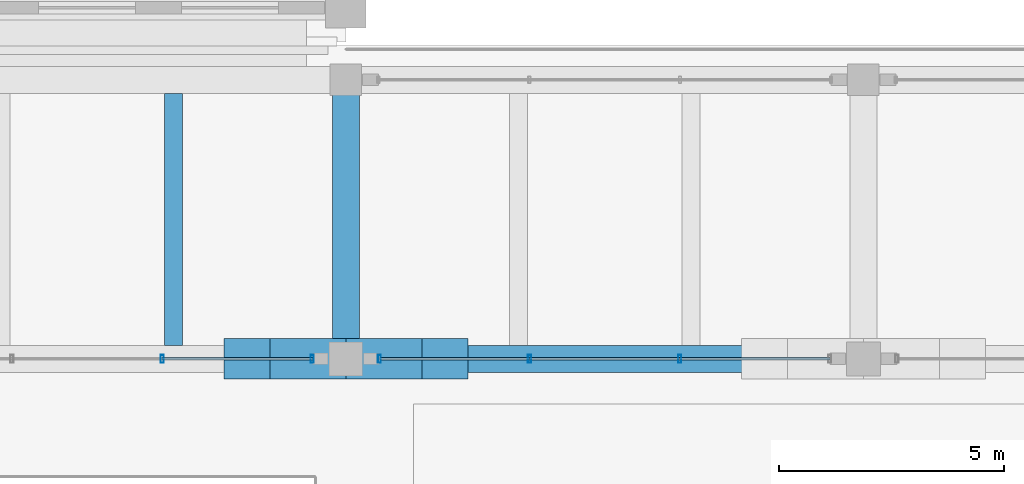
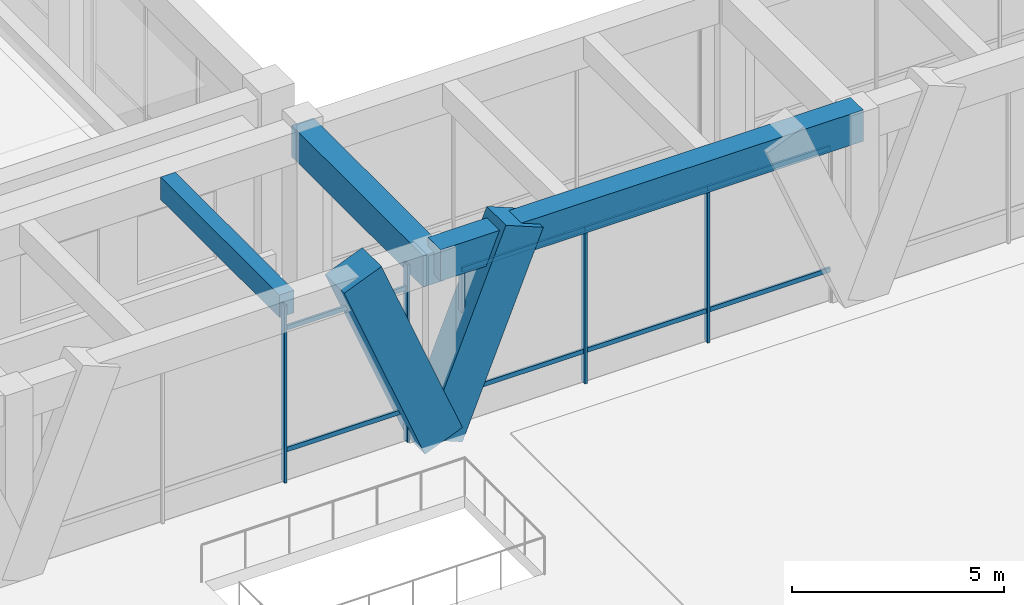
# One storey, part 61 of 148: 15 members, 3 beams, 2 elements without a shape of their own.
"""IFC4 building model written with IfcOpenShell, lengths in metres."""

from ifc_helpers import new_model, si_unit, direction, frame, origin, origin_2d, place, context, subcontext, project, spatial, rectangle, hollow_rectangle, extrude, material, material_profile, profile_set, type_object, element, aggregate, save


model = new_model("IFC4")

# Units and contexts
model_context = context("Model", 3, precision=1e-05, world=origin(), true_north=direction((0.0, 1.0)))
body_context = subcontext(model_context, "Body", "Model", "MODEL_VIEW")
ifc_project = project(units=[si_unit("LENGTHUNIT", "METRE"), si_unit("AREAUNIT", "SQUARE_METRE"), si_unit("VOLUMEUNIT", "CUBIC_METRE"), si_unit("PLANEANGLEUNIT", "RADIAN"), si_unit("MASSUNIT", "GRAM", prefix="KILO")], contexts=[model_context])

# Site, building, storey
site_placement = place(None, origin())
site = spatial("IfcSite", under=ifc_project, at=site_placement, CompositionType="ELEMENT")
building_placement = place(site_placement, origin())
building = spatial("IfcBuilding", under=site, at=building_placement, Name="Ologun Quay Terminus", CompositionType="ELEMENT")
storey_placement = place(building_placement, frame((0.0, 0.0, 8.39990234375)))
storey = spatial("IfcBuildingStorey", under=building, at=storey_placement, Name="L02", CompositionType="ELEMENT", Elevation=8.39990234375)

# Curtain wall, members
ifc_material_1 = material(Name="Aluminium 6063-T6", Category="aluminium")
curtain_wall_type = type_object("IfcCurtainWallType", Name="Train Shed North Clerestory Curtain Wall 10700x4850", PredefinedType="USERDEFINED", material=ifc_material_1)
curtain_wall_1_placement = place(storey_placement, origin())
curtain_wall_1 = element("IfcCurtainWall", 1, at=curtain_wall_1_placement, inside=storey, type_object=curtain_wall_type, Name="CW-09 Curtain Wall CW-L02-055", ObjectType="UNITISED CURTAIN WALL", PredefinedType="USERDEFINED")
ifc_material_2 = material(Name="Aluminium 6063-T6", Category="aluminium")
ifc_material_profile_1 = material_profile(ifc_material_2, hollow_rectangle(XDim=0.070068359375, YDim=0.179931640625, WallThickness=0.0048828125, at=origin_2d()), Name="ALU 180x70x5")
ifc_profile_set_1 = profile_set([ifc_material_profile_1], Name="Aluminium 6063-T6")
member_type_1 = type_object("IfcMemberType", Name="Concourse Clerestory Mullion 180x70", PredefinedType="MULLION", material=ifc_profile_set_1)
member_1_placement = place(storey_placement, frame((64.918212890625, 78.0, 0.0), z_axis=(0.0, 0.0, 1.0), x_axis=(1.0, 0.0, 0.0)))
member_1 = element("IfcMember", 2, at=member_1_placement, type_object=member_type_1, Name="CW-L02-055 Mullion 3", PredefinedType="MULLION", context=body_context, shape_type="SweptSolid", body=[
    extrude(hollow_rectangle(XDim=0.070068359375, YDim=0.179931640625, WallThickness=0.0048828125, at=origin_2d()), origin(), (0.0, 0.0, 1.0), 5.10009765625),
])
member_2_placement = place(storey_placement, frame((68.2548828125, 78.0, 0.0), z_axis=(0.0, 0.0, 1.0), x_axis=(1.0, 0.0, 0.0)))
member_2 = element("IfcMember", 3, at=member_2_placement, type_object=member_type_1, Name="CW-L02-055 Mullion 4", PredefinedType="MULLION", context=body_context, shape_type="SweptSolid", body=[
    extrude(hollow_rectangle(XDim=0.070068359375, YDim=0.179931640625, WallThickness=0.0048828125, at=origin_2d()), origin(), (0.0, 0.0, 1.0), 5.10009765625),
])

curtain_wall_2_placement = place(storey_placement, origin())
curtain_wall_2 = element("IfcCurtainWall", 4, at=curtain_wall_2_placement, inside=storey, type_object=curtain_wall_type, Name="CW-09 Curtain Wall CW-L02-057", ObjectType="UNITISED CURTAIN WALL", PredefinedType="USERDEFINED")
member_3_placement = place(storey_placement, frame((69.7451171875, 78.0, 0.0), z_axis=(0.0, 0.0, 1.0), x_axis=(1.0, 0.0, 0.0)))
member_3 = element("IfcMember", 5, at=member_3_placement, type_object=member_type_1, Name="CW-L02-057 Mullion 1", PredefinedType="MULLION", context=body_context, shape_type="SweptSolid", body=[
    extrude(hollow_rectangle(XDim=0.070068359375, YDim=0.179931640625, WallThickness=0.0048828125, at=origin_2d()), origin(), (0.0, 0.0, 1.0), 5.10009765625),
])
member_4_placement = place(storey_placement, frame((73.081787109375, 78.0, 0.0), z_axis=(0.0, 0.0, 1.0), x_axis=(1.0, 0.0, 0.0)))
member_4 = element("IfcMember", 6, at=member_4_placement, type_object=member_type_1, Name="CW-L02-057 Mullion 2", PredefinedType="MULLION", context=body_context, shape_type="SweptSolid", body=[
    extrude(hollow_rectangle(XDim=0.070068359375, YDim=0.179931640625, WallThickness=0.0048828125, at=origin_2d()), origin(), (0.0, 0.0, 1.0), 5.10009765625),
])
member_5_placement = place(storey_placement, frame((76.418212890625, 78.0, 0.0), z_axis=(0.0, 0.0, 1.0), x_axis=(1.0, 0.0, 0.0)))
member_5 = element("IfcMember", 7, at=member_5_placement, type_object=member_type_1, Name="CW-L02-057 Mullion 3", PredefinedType="MULLION", context=body_context, shape_type="SweptSolid", body=[
    extrude(hollow_rectangle(XDim=0.070068359375, YDim=0.179931640625, WallThickness=0.0048828125, at=origin_2d()), origin(), (0.0, 0.0, 1.0), 5.10009765625),
])

# Member
ifc_material_3 = material(Name="Aluminium 6063-T6", Category="aluminium")
ifc_material_profile_2 = material_profile(ifc_material_3, hollow_rectangle(XDim=0.06005859375, YDim=0.1298828125, WallThickness=0.00390625, at=origin_2d()), Name="ALU 130x60x4")
ifc_profile_set_2 = profile_set([ifc_material_profile_2], Name="Aluminium 6063-T6")
member_type_2 = type_object("IfcMemberType", Name="Concourse Clerestory Transom 130x60", PredefinedType="USERDEFINED", material=ifc_profile_set_2)
member_6_placement = place(storey_placement, frame((64.918212890625, 78.0, 0.900146484375), z_axis=(1.0, 0.0, 0.0), x_axis=(0.0, 1.0, 0.0)))
member_6 = element("IfcMember", 8, at=member_6_placement, type_object=member_type_2, Name="CW-L02-055 Transom B3-1", ObjectType="TRANSOM", PredefinedType="USERDEFINED", context=body_context, shape_type="SweptSolid", body=[
    extrude(hollow_rectangle(XDim=0.06005859375, YDim=0.1298828125, WallThickness=0.00390625, at=origin_2d()), origin(), (0.0, 0.0, 1.0), 3.336669921875),
])

member_7_placement = place(storey_placement, frame((64.918212890625, 78.0, 4.400146484375), z_axis=(1.0, 0.0, 0.0), x_axis=(0.0, 1.0, 0.0)))
member_7 = element("IfcMember", 9, at=member_7_placement, type_object=member_type_2, Name="CW-L02-055 Transom B3-2", ObjectType="TRANSOM", PredefinedType="USERDEFINED", context=body_context, shape_type="SweptSolid", body=[
    extrude(hollow_rectangle(XDim=0.06005859375, YDim=0.1298828125, WallThickness=0.00390625, at=origin_2d()), origin(), (0.0, 0.0, 1.0), 3.336669921875),
])

aggregate(curtain_wall_1, [member_1, member_2, member_6, member_7])

member_8_placement = place(storey_placement, frame((69.7451171875, 78.0, 0.900146484375), z_axis=(1.0, 0.0, 0.0), x_axis=(0.0, 1.0, 0.0)))
member_8 = element("IfcMember", 10, at=member_8_placement, type_object=member_type_2, Name="CW-L02-057 Transom B1-1", ObjectType="TRANSOM", PredefinedType="USERDEFINED", context=body_context, shape_type="SweptSolid", body=[
    extrude(hollow_rectangle(XDim=0.06005859375, YDim=0.1298828125, WallThickness=0.00390625, at=origin_2d()), origin(), (0.0, 0.0, 1.0), 3.336669921875),
])

member_9_placement = place(storey_placement, frame((69.7451171875, 78.0, 4.400146484375), z_axis=(1.0, 0.0, 0.0), x_axis=(0.0, 1.0, 0.0)))
member_9 = element("IfcMember", 11, at=member_9_placement, type_object=member_type_2, Name="CW-L02-057 Transom B1-2", ObjectType="TRANSOM", PredefinedType="USERDEFINED", context=body_context, shape_type="SweptSolid", body=[
    extrude(hollow_rectangle(XDim=0.06005859375, YDim=0.1298828125, WallThickness=0.00390625, at=origin_2d()), origin(), (0.0, 0.0, 1.0), 3.336669921875),
])

member_10_placement = place(storey_placement, frame((73.081787109375, 78.0, 0.900146484375), z_axis=(1.0, 0.0, 0.0), x_axis=(0.0, 1.0, 0.0)))
member_10 = element("IfcMember", 12, at=member_10_placement, type_object=member_type_2, Name="CW-L02-057 Transom B2-1", ObjectType="TRANSOM", PredefinedType="USERDEFINED", context=body_context, shape_type="SweptSolid", body=[
    extrude(hollow_rectangle(XDim=0.06005859375, YDim=0.1298828125, WallThickness=0.00390625, at=origin_2d()), origin(), (0.0, 0.0, 1.0), 3.33642578125),
])

member_11_placement = place(storey_placement, frame((73.081787109375, 78.0, 4.400146484375), z_axis=(1.0, 0.0, 0.0), x_axis=(0.0, 1.0, 0.0)))
member_11 = element("IfcMember", 13, at=member_11_placement, type_object=member_type_2, Name="CW-L02-057 Transom B2-2", ObjectType="TRANSOM", PredefinedType="USERDEFINED", context=body_context, shape_type="SweptSolid", body=[
    extrude(hollow_rectangle(XDim=0.06005859375, YDim=0.1298828125, WallThickness=0.00390625, at=origin_2d()), origin(), (0.0, 0.0, 1.0), 3.33642578125),
])

member_12_placement = place(storey_placement, frame((76.418212890625, 78.0, 0.900146484375), z_axis=(1.0, 0.0, 0.0), x_axis=(0.0, 1.0, 0.0)))
member_12 = element("IfcMember", 14, at=member_12_placement, type_object=member_type_2, Name="CW-L02-057 Transom B3-1", ObjectType="TRANSOM", PredefinedType="USERDEFINED", context=body_context, shape_type="SweptSolid", body=[
    extrude(hollow_rectangle(XDim=0.06005859375, YDim=0.1298828125, WallThickness=0.00390625, at=origin_2d()), origin(), (0.0, 0.0, 1.0), 3.336669921875),
])

member_13_placement = place(storey_placement, frame((76.418212890625, 78.0, 4.400146484375), z_axis=(1.0, 0.0, 0.0), x_axis=(0.0, 1.0, 0.0)))
member_13 = element("IfcMember", 15, at=member_13_placement, type_object=member_type_2, Name="CW-L02-057 Transom B3-2", ObjectType="TRANSOM", PredefinedType="USERDEFINED", context=body_context, shape_type="SweptSolid", body=[
    extrude(hollow_rectangle(XDim=0.06005859375, YDim=0.1298828125, WallThickness=0.00390625, at=origin_2d()), origin(), (0.0, 0.0, 1.0), 3.336669921875),
])

aggregate(curtain_wall_2, [member_3, member_4, member_5, member_8, member_9, member_10, member_11, member_12, member_13])

# Members
ifc_material_4 = material(Name="Concrete C45/55", Category="concrete")
ifc_material_profile_3 = material_profile(ifc_material_4, rectangle(XDim=0.89990234375, YDim=1.10009765625, at=origin_2d()), Name="RC 900x1100")
ifc_profile_set_3 = profile_set([ifc_material_profile_3], Name="Concrete C45/55")
member_type_3 = type_object("IfcMemberType", Name="Sculpted Concrete Arch V-Buttress Strut 900x1100", PredefinedType="STRUT", material=ifc_profile_set_3)
for number, where, z_axis, x_axis, name in (
    (16, (69.0, 78.0, 0.0), (-0.377280927807, 0.0, 0.926098861631), (0.0, -1.0, 0.0), "VS1 Arch V-Buttress West Limb 7/F"),
    (17, (69.0, 78.0, 0.0), (0.377280927807, 0.0, 0.926098861631), (0.0, 1.0, 0.0), "VS1 Arch V-Buttress East Limb 7/F"),
):
    element("IfcMember", number, at=place(storey_placement, frame(where, z_axis=z_axis, x_axis=x_axis)), inside=storey, type_object=member_type_3, Name=name, PredefinedType="STRUT", context=body_context, shape_type="SweptSolid", body=[
        extrude(rectangle(XDim=0.89990234375, YDim=1.10009765625, at=origin_2d()), origin(), (0.0, 0.0, 1.0), 5.8310546875),
    ])

# Beams
ifc_material_5 = material(Name="Concrete C40/50", Category="concrete")
ifc_material_profile_4 = material_profile(ifc_material_5, rectangle(XDim=0.60009765625, YDim=0.89990234375, at=origin_2d()), Name="RC 600x900")
ifc_profile_set_4 = profile_set([ifc_material_profile_4], Name="Concrete C40/50")
beam_type_1 = type_object("IfcBeamType", Name="Station Frame Girder 600x900", PredefinedType="BEAM", material=ifc_profile_set_4)
beam_1_placement = place(storey_placement, frame((69.0, 78.0, 4.9501953125), z_axis=(1.0, 0.0, 0.0), x_axis=(0.0, 1.0, 0.0)))
element("IfcBeam", 18, at=beam_1_placement, inside=storey, type_object=beam_type_1, Name="B3 Beam 7/F L02", PredefinedType="BEAM", context=body_context, shape_type="SweptSolid", body=[
    extrude(rectangle(XDim=0.60009765625, YDim=0.89990234375, at=origin_2d()), origin(), (0.0, 0.0, 1.0), 11.5),
])
beam_2_placement = place(storey_placement, frame((69.0, 78.0, 4.7001953125), z_axis=(0.0, 1.0, 0.0), x_axis=(-1.0, 0.0, 0.0)))
element("IfcBeam", 19, at=beam_2_placement, inside=storey, type_object=beam_type_1, Name="B3 Beam 7/F L02", PredefinedType="BEAM", context=body_context, shape_type="SweptSolid", body=[
    extrude(rectangle(XDim=0.60009765625, YDim=0.89990234375, at=origin_2d()), origin(), (0.0, 0.0, 1.0), 6.199951171875),
])
ifc_material_6 = material(Name="Concrete C40/50", Category="concrete")
ifc_material_profile_5 = material_profile(ifc_material_6, rectangle(XDim=0.39990234375, YDim=0.64990234375, at=origin_2d()), Name="RC 400x650")
ifc_profile_set_5 = profile_set([ifc_material_profile_5], Name="Concrete C40/50")
beam_type_2 = type_object("IfcBeamType", Name="Station Secondary Joist 400x650", PredefinedType="JOIST", material=ifc_profile_set_5)
beam_3_placement = place(storey_placement, frame((65.166748046875, 78.300048828125, 4.8251953125), z_axis=(0.0, 1.0, 0.0), x_axis=(-1.0, 0.0, 0.0)))
element("IfcBeam", 20, at=beam_3_placement, inside=storey, type_object=beam_type_2, Name="J1 Beam 6/F L02", PredefinedType="JOIST", context=body_context, shape_type="SweptSolid", body=[
    extrude(rectangle(XDim=0.39990234375, YDim=0.64990234375, at=origin_2d()), origin(), (0.0, 0.0, 1.0), 5.599853515625),
])

save(model, "model.ifc")
